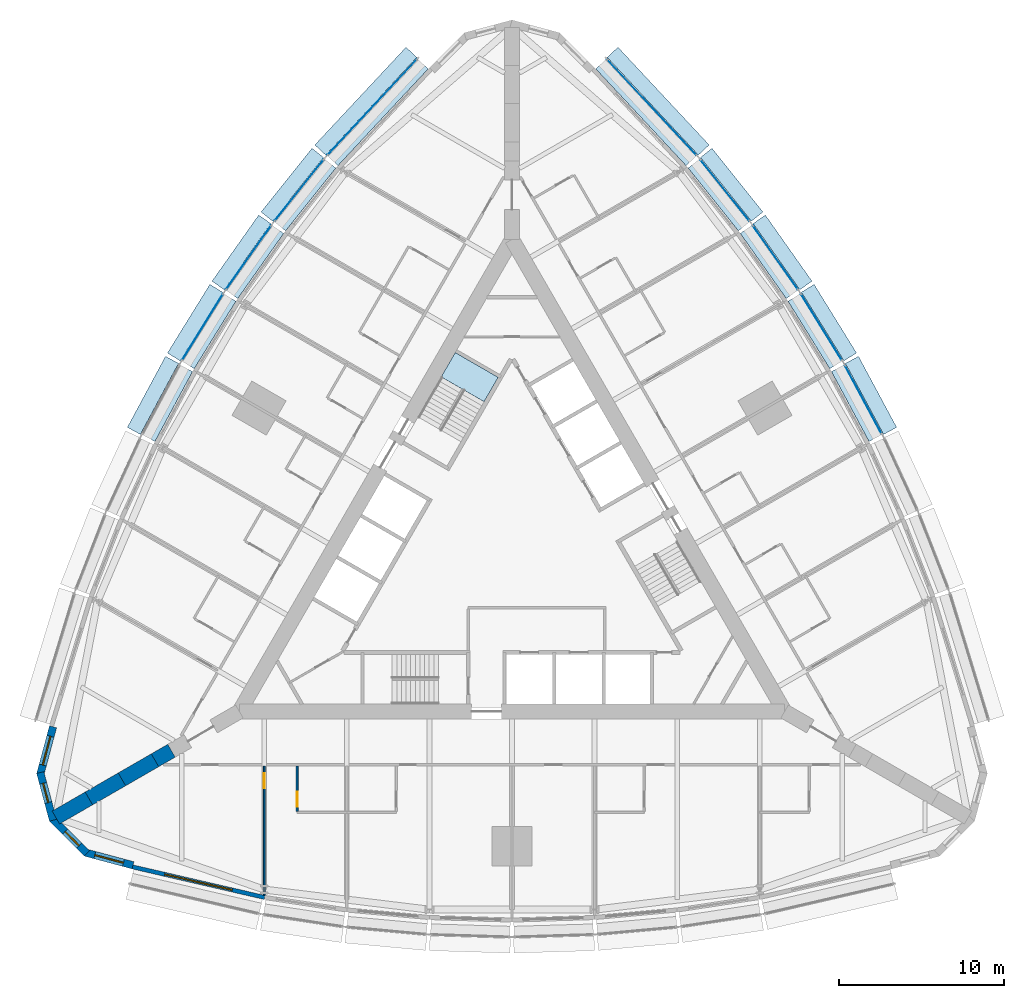
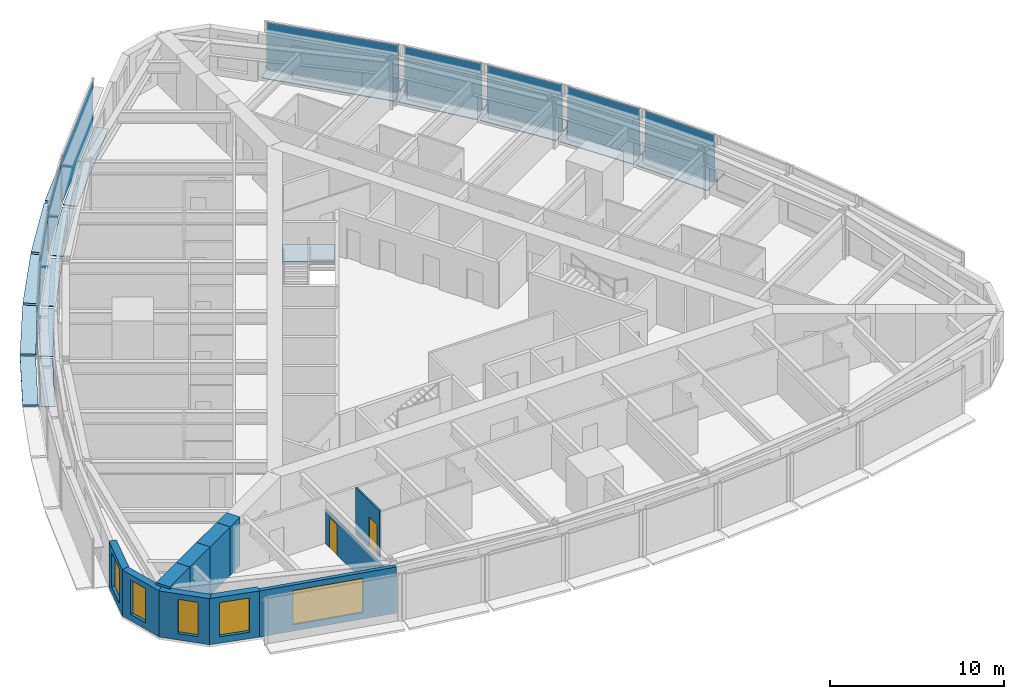
# One storey, part 7 of 14: 29 plates, 11 walls, 5 windows, 2 doors, 1 slab, 7 openings, 10 elements without a shape of their own.
"""IFC4 building model written with IfcOpenShell, lengths in metres."""

from ifc_helpers import new_model, si_unit, direction, frame, frame_2d, origin, origin_2d, place, context, subcontext, project, spatial, polyline, rectangle, outline, extrude, material, layer, layer_set, type_object, element, fill, aggregate, save


model = new_model("IFC4")

# Units and contexts
model_context = context("Model", 3, precision=1e-05, world=origin(), true_north=direction((0.0, 1.0)))
body_context = subcontext(model_context, "Body", "Model", "MODEL_VIEW")
ifc_project = project(units=[si_unit("LENGTHUNIT", "METRE"), si_unit("AREAUNIT", "SQUARE_METRE"), si_unit("VOLUMEUNIT", "CUBIC_METRE"), si_unit("PLANEANGLEUNIT", "RADIAN"), si_unit("MASSUNIT", "GRAM", prefix="KILO")], contexts=[model_context])

# Site, building, storey
site_placement = place(None, origin())
site = spatial("IfcSite", under=ifc_project, at=site_placement, CompositionType="ELEMENT")
building_placement = place(site_placement, origin())
building = spatial("IfcBuilding", under=site, at=building_placement, Name="Trikona Tower", CompositionType="ELEMENT")
storey_placement = place(building_placement, frame((0.0, 0.0, 48.89990234375)))
storey = spatial("IfcBuildingStorey", under=building, at=storey_placement, Name="L11", CompositionType="ELEMENT", Elevation=48.89990234375)

# Plates
ifc_material_1 = material(Name="Aluminium bar grating", Category="aluminium")
ifc_layer_1 = layer(ifc_material_1, 0.050048828125)
ifc_layer_set_1 = layer_set([ifc_layer_1], Name="Cavity catwalk grating")
plate_type_1 = type_object("IfcPlateType", Name="Cavity catwalk grating", PredefinedType="USERDEFINED", material=ifc_layer_set_1)
for number, where, z_axis, x_axis, name in (
    (1, (20.833740234375, 9.127197265625, -0.0498046875), (0.0, 0.0, 1.0), (-0.473422672721, 0.880835383572, 0.0), "Cavity catwalk L11-15"),
    (2, (18.3212890625, 13.47900390625, -0.0498046875), (0.0, 0.0, 1.0), (-0.526118935114, 0.85041099835, 0.0), "Cavity catwalk L11-16"),
):
    element("IfcPlate", number, at=place(storey_placement, frame(where, z_axis=z_axis, x_axis=x_axis)), inside=storey, type_object=plate_type_1, Name=name, ObjectType="CATWALK GRATING", PredefinedType="USERDEFINED", context=body_context, shape_type="SweptSolid", body=[
        extrude(rectangle(XDim=4.80224609375, YDim=0.820068359375, at=origin_2d()), origin(), (0.0, 0.0, 1.0), 0.050048828125),
    ])
plate_1_placement = place(storey_placement, frame((15.544189453125, 17.677734375, -0.0498046875), z_axis=(0.0, 0.0, 1.0), x_axis=(-0.576661909499, 0.816982889743, 0.0)))
element("IfcPlate", 3, at=plate_1_placement, inside=storey, type_object=plate_type_1, Name="Cavity catwalk L11-17", ObjectType="CATWALK GRATING", PredefinedType="USERDEFINED", context=body_context, shape_type="SweptSolid", body=[
    extrude(rectangle(XDim=4.82080078125, YDim=0.820068359375, at=origin_2d()), origin(), (0.0, 0.0, 1.0), 0.050048828125),
])
plate_2_placement = place(storey_placement, frame((12.502197265625, 21.72314453125, -0.0498046875), z_axis=(0.0, 0.0, 1.0), x_axis=(-0.624603618277, 0.780941944087, 0.0)))
element("IfcPlate", 4, at=plate_2_placement, inside=storey, type_object=plate_type_1, Name="Cavity catwalk L11-18", ObjectType="CATWALK GRATING", PredefinedType="USERDEFINED", context=body_context, shape_type="SweptSolid", body=[
    extrude(rectangle(XDim=4.857666015625, YDim=0.820068359375, at=origin_2d()), origin(), (0.0, 0.0, 1.0), 0.050048828125),
])
for number, where, z_axis, x_axis, name in (
    (5, (8.10107421875, 26.72314453125, -0.0498046875), (0.0, 0.0, 1.0), (-0.682298269147, 0.731073916864, 0.0), "Cavity catwalk L11-19"),
    (6, (-8.10107421875, 26.72314453125, -0.0498046875), (0.0, 0.0, 1.0), (-0.682298269147, -0.731073916864, 0.0), "Cavity catwalk L11-24"),
):
    element("IfcPlate", number, at=place(storey_placement, frame(where, z_axis=z_axis, x_axis=x_axis)), inside=storey, type_object=plate_type_1, Name=name, ObjectType="CATWALK GRATING", PredefinedType="USERDEFINED", context=body_context, shape_type="SweptSolid", body=[
        extrude(rectangle(XDim=8.01123046875, YDim=0.820068359375, at=origin_2d()), origin(), (0.0, 0.0, 1.0), 0.050048828125),
    ])
plate_3_placement = place(storey_placement, frame((-12.502197265625, 21.72314453125, -0.0498046875), z_axis=(0.0, 0.0, 1.0), x_axis=(-0.624603618277, -0.780941944087, 0.0)))
element("IfcPlate", 7, at=plate_3_placement, inside=storey, type_object=plate_type_1, Name="Cavity catwalk L11-25", ObjectType="CATWALK GRATING", PredefinedType="USERDEFINED", context=body_context, shape_type="SweptSolid", body=[
    extrude(rectangle(XDim=4.857666015625, YDim=0.820068359375, at=origin_2d()), origin(), (0.0, 0.0, 1.0), 0.050048828125),
])
plate_4_placement = place(storey_placement, frame((-15.544189453125, 17.677734375, -0.0498046875), z_axis=(0.0, 0.0, 1.0), x_axis=(-0.576661909499, -0.816982889743, 0.0)))
element("IfcPlate", 8, at=plate_4_placement, inside=storey, type_object=plate_type_1, Name="Cavity catwalk L11-26", ObjectType="CATWALK GRATING", PredefinedType="USERDEFINED", context=body_context, shape_type="SweptSolid", body=[
    extrude(rectangle(XDim=4.82080078125, YDim=0.820068359375, at=origin_2d()), origin(), (0.0, 0.0, 1.0), 0.050048828125),
])
for number, where, z_axis, x_axis, name in (
    (9, (-18.3212890625, 13.47900390625, -0.0498046875), (0.0, 0.0, 1.0), (-0.526118935114, -0.85041099835, 0.0), "Cavity catwalk L11-27"),
    (10, (-20.833740234375, 9.127197265625, -0.0498046875), (0.0, 0.0, 1.0), (-0.473422672721, -0.880835383572, 0.0), "Cavity catwalk L11-28"),
):
    element("IfcPlate", number, at=place(storey_placement, frame(where, z_axis=z_axis, x_axis=x_axis)), inside=storey, type_object=plate_type_1, Name=name, ObjectType="CATWALK GRATING", PredefinedType="USERDEFINED", context=body_context, shape_type="SweptSolid", body=[
        extrude(rectangle(XDim=4.80224609375, YDim=0.820068359375, at=origin_2d()), origin(), (0.0, 0.0, 1.0), 0.050048828125),
    ])

# Curtain wall, plate
ifc_material_2 = material(Name="Aluminium curtain wall system", Category="aluminium")
curtain_wall_type = type_object("IfcCurtainWallType", Name="Curtain wall DS1", PredefinedType="NOTDEFINED", material=ifc_material_2)
curtain_wall_1_placement = place(storey_placement, origin())
curtain_wall_1 = element("IfcCurtainWall", 11, at=curtain_wall_1_placement, inside=storey, type_object=curtain_wall_type, Name="Curtain wall DS1 L11", PredefinedType="NOTDEFINED")
ifc_material_3 = material(Name="Laminated clear glass", Category="glass")
ifc_layer_2 = layer(ifc_material_3, 0.028076171875)
ifc_layer_set_2 = layer_set([ifc_layer_2], Name="Glass panel DS1")
plate_type_2 = type_object("IfcPlateType", Name="Glass panel DS1", PredefinedType="CURTAIN_PANEL", material=ifc_layer_set_2)
plate_5_placement = place(storey_placement, frame((21.265380859375, 9.359130859375, 0.0), z_axis=(0.0, 0.0, 1.0), x_axis=(-0.473408350896, 0.880843080975, 0.0)))
plate_5 = element("IfcPlate", 12, at=plate_5_placement, type_object=plate_type_2, Name="CW-DS1 panel 1.1", PredefinedType="CURTAIN_PANEL", context=body_context, shape_type="SweptSolid", body=[
    extrude(rectangle(XDim=4.72216796875, YDim=0.028076171875, at=origin_2d()), origin(), (0.0, 0.0, 1.0), 3.320068359375),
])
aggregate(curtain_wall_1, [plate_5])

curtain_wall_2_placement = place(storey_placement, origin())
curtain_wall_2 = element("IfcCurtainWall", 13, at=curtain_wall_2_placement, inside=storey, type_object=curtain_wall_type, Name="Curtain wall DS1 L11", PredefinedType="NOTDEFINED")
plate_6_placement = place(storey_placement, frame((18.738037109375, 13.73681640625, 0.0), z_axis=(0.0, 0.0, 1.0), x_axis=(-0.526119790842, 0.850410468941, 0.0)))
plate_6 = element("IfcPlate", 14, at=plate_6_placement, type_object=plate_type_2, Name="CW-DS1 panel 1.1", PredefinedType="CURTAIN_PANEL", context=body_context, shape_type="SweptSolid", body=[
    extrude(rectangle(XDim=4.722412109375, YDim=0.028076171875, at=origin_2d()), origin(), (0.0, 0.0, 1.0), 3.320068359375),
])
aggregate(curtain_wall_2, [plate_6])

curtain_wall_3_placement = place(storey_placement, origin())
curtain_wall_3 = element("IfcCurtainWall", 15, at=curtain_wall_3_placement, inside=storey, type_object=curtain_wall_type, Name="Curtain wall DS1 L11", PredefinedType="NOTDEFINED")
plate_7_placement = place(storey_placement, frame((15.9443359375, 17.960205078125, 0.0), z_axis=(0.0, 0.0, 1.0), x_axis=(-0.576658362928, 0.816985393055, 0.0)))
plate_7 = element("IfcPlate", 16, at=plate_7_placement, type_object=plate_type_2, Name="CW-DS1 panel 1.1", PredefinedType="CURTAIN_PANEL", context=body_context, shape_type="SweptSolid", body=[
    extrude(rectangle(XDim=4.74072265625, YDim=0.028076171875, at=origin_2d()), origin(), (0.0, 0.0, 1.0), 3.320068359375),
])
aggregate(curtain_wall_3, [plate_7])

curtain_wall_4_placement = place(storey_placement, origin())
curtain_wall_4 = element("IfcCurtainWall", 17, at=curtain_wall_4_placement, inside=storey, type_object=curtain_wall_type, Name="Curtain wall DS1 L11", PredefinedType="NOTDEFINED")
plate_8_placement = place(storey_placement, frame((12.884765625, 22.029296875, 0.0), z_axis=(0.0, 0.0, 1.0), x_axis=(-0.624608599951, 0.780937959679, 0.0)))
plate_8 = element("IfcPlate", 18, at=plate_8_placement, type_object=plate_type_2, Name="CW-DS1 panel 1.1", PredefinedType="CURTAIN_PANEL", context=body_context, shape_type="SweptSolid", body=[
    extrude(rectangle(XDim=4.777587890625, YDim=0.028076171875, at=origin_2d()), origin(), (0.0, 0.0, 1.0), 3.320068359375),
])
aggregate(curtain_wall_4, [plate_8])

curtain_wall_5_placement = place(storey_placement, origin())
curtain_wall_5 = element("IfcCurtainWall", 19, at=curtain_wall_5_placement, inside=storey, type_object=curtain_wall_type, Name="Curtain wall DS1 L11", PredefinedType="NOTDEFINED")
plate_9_placement = place(storey_placement, frame((8.459228515625, 27.057373046875, 0.0), z_axis=(0.0, 0.0, 1.0), x_axis=(-0.682295351967, 0.731076639405, 0.0)))
plate_9 = element("IfcPlate", 20, at=plate_9_placement, type_object=plate_type_2, Name="CW-DS1 panel 1.1", PredefinedType="CURTAIN_PANEL", context=body_context, shape_type="SweptSolid", body=[
    extrude(rectangle(XDim=7.93115234375, YDim=0.028076171875, at=origin_2d()), origin(), (0.0, 0.0, 1.0), 3.320068359375),
])
aggregate(curtain_wall_5, [plate_9])

curtain_wall_6_placement = place(storey_placement, origin())
curtain_wall_6 = element("IfcCurtainWall", 21, at=curtain_wall_6_placement, inside=storey, type_object=curtain_wall_type, Name="Curtain wall DS1 L11", PredefinedType="NOTDEFINED")
plate_10_placement = place(storey_placement, frame((-8.459228515625, 27.057373046875, 0.0), z_axis=(0.0, 0.0, 1.0), x_axis=(-0.682295351967, -0.731076639405, 0.0)))
plate_10 = element("IfcPlate", 22, at=plate_10_placement, type_object=plate_type_2, Name="CW-DS1 panel 1.1", PredefinedType="CURTAIN_PANEL", context=body_context, shape_type="SweptSolid", body=[
    extrude(rectangle(XDim=7.93115234375, YDim=0.028076171875, at=origin_2d()), origin(), (0.0, 0.0, 1.0), 3.320068359375),
])
aggregate(curtain_wall_6, [plate_10])

curtain_wall_7_placement = place(storey_placement, origin())
curtain_wall_7 = element("IfcCurtainWall", 23, at=curtain_wall_7_placement, inside=storey, type_object=curtain_wall_type, Name="Curtain wall DS1 L11", PredefinedType="NOTDEFINED")
plate_11_placement = place(storey_placement, frame((-12.884765625, 22.029296875, 0.0), z_axis=(0.0, 0.0, 1.0), x_axis=(-0.624608599951, -0.780937959679, 0.0)))
plate_11 = element("IfcPlate", 24, at=plate_11_placement, type_object=plate_type_2, Name="CW-DS1 panel 1.1", PredefinedType="CURTAIN_PANEL", context=body_context, shape_type="SweptSolid", body=[
    extrude(rectangle(XDim=4.777587890625, YDim=0.028076171875, at=origin_2d()), origin(), (0.0, 0.0, 1.0), 3.320068359375),
])
aggregate(curtain_wall_7, [plate_11])

curtain_wall_8_placement = place(storey_placement, origin())
curtain_wall_8 = element("IfcCurtainWall", 25, at=curtain_wall_8_placement, inside=storey, type_object=curtain_wall_type, Name="Curtain wall DS1 L11", PredefinedType="NOTDEFINED")
plate_12_placement = place(storey_placement, frame((-15.9443359375, 17.960205078125, 0.0), z_axis=(0.0, 0.0, 1.0), x_axis=(-0.576658362928, -0.816985393055, 0.0)))
plate_12 = element("IfcPlate", 26, at=plate_12_placement, type_object=plate_type_2, Name="CW-DS1 panel 1.1", PredefinedType="CURTAIN_PANEL", context=body_context, shape_type="SweptSolid", body=[
    extrude(rectangle(XDim=4.74072265625, YDim=0.028076171875, at=origin_2d()), origin(), (0.0, 0.0, 1.0), 3.320068359375),
])
aggregate(curtain_wall_8, [plate_12])

curtain_wall_9_placement = place(storey_placement, origin())
curtain_wall_9 = element("IfcCurtainWall", 27, at=curtain_wall_9_placement, inside=storey, type_object=curtain_wall_type, Name="Curtain wall DS1 L11", PredefinedType="NOTDEFINED")
plate_13_placement = place(storey_placement, frame((-18.738037109375, 13.73681640625, 0.0), z_axis=(0.0, 0.0, 1.0), x_axis=(-0.526119790842, -0.850410468941, 0.0)))
plate_13 = element("IfcPlate", 28, at=plate_13_placement, type_object=plate_type_2, Name="CW-DS1 panel 1.1", PredefinedType="CURTAIN_PANEL", context=body_context, shape_type="SweptSolid", body=[
    extrude(rectangle(XDim=4.722412109375, YDim=0.028076171875, at=origin_2d()), origin(), (0.0, 0.0, 1.0), 3.320068359375),
])
aggregate(curtain_wall_9, [plate_13])

# Plates
ifc_material_4 = material(Name="Aluminium plate fin, pale anodised, on stainless steel outriggers", Category="steel")
ifc_layer_3 = layer(ifc_material_4, 0.14990234375)
ifc_layer_set_3 = layer_set([ifc_layer_3], Name="Outer skin fin 900")
plate_type_3 = type_object("IfcPlateType", Name="Outer skin fin 900", PredefinedType="USERDEFINED", material=ifc_layer_set_3)
for number, where, z_axis, x_axis, name in (
    (29, (21.732421875, 9.610107421875, 0.000244140625), (0.0, 0.0, 1.0), (-0.473422672721, 0.880835383572, 0.0), "Outer skin fin L11-15"),
    (30, (19.188720703125, 14.015625, 0.000244140625), (0.0, 0.0, 1.0), (-0.526118935114, 0.85041099835, 0.0), "Outer skin fin L11-16"),
):
    element("IfcPlate", number, at=place(storey_placement, frame(where, z_axis=z_axis, x_axis=x_axis)), inside=storey, type_object=plate_type_3, Name=name, ObjectType="FIN", PredefinedType="USERDEFINED", context=body_context, shape_type="SweptSolid", body=[
        extrude(rectangle(XDim=4.88232421875, YDim=0.89990234375, at=origin_2d()), origin(), (0.0, 0.0, 1.0), 0.14990234375),
    ])
plate_14_placement = place(storey_placement, frame((16.37744140625, 18.265869140625, 0.000244140625), z_axis=(0.0, 0.0, 1.0), x_axis=(-0.576661909499, 0.816982889743, 0.0)))
element("IfcPlate", 31, at=plate_14_placement, inside=storey, type_object=plate_type_3, Name="Outer skin fin L11-17", ObjectType="FIN", PredefinedType="USERDEFINED", context=body_context, shape_type="SweptSolid", body=[
    extrude(rectangle(XDim=4.90087890625, YDim=0.89990234375, at=origin_2d()), origin(), (0.0, 0.0, 1.0), 0.14990234375),
])
plate_15_placement = place(storey_placement, frame((13.298583984375, 22.360107421875, 0.000244140625), z_axis=(0.0, 0.0, 1.0), x_axis=(-0.624603618277, 0.780941944087, 0.0)))
element("IfcPlate", 32, at=plate_15_placement, inside=storey, type_object=plate_type_3, Name="Outer skin fin L11-18", ObjectType="FIN", PredefinedType="USERDEFINED", context=body_context, shape_type="SweptSolid", body=[
    extrude(rectangle(XDim=4.9375, YDim=0.89990234375, at=origin_2d()), origin(), (0.0, 0.0, 1.0), 0.14990234375),
])
for number, where, z_axis, x_axis, name in (
    (33, (8.8466796875, 27.419189453125, 0.000244140625), (0.0, 0.0, 1.0), (-0.682298269147, 0.731073916864, 0.0), "Outer skin fin L11-19"),
    (34, (-8.8466796875, 27.419189453125, 0.000244140625), (0.0, 0.0, 1.0), (-0.682298269147, -0.731073916864, 0.0), "Outer skin fin L11-24"),
):
    element("IfcPlate", number, at=place(storey_placement, frame(where, z_axis=z_axis, x_axis=x_axis)), inside=storey, type_object=plate_type_3, Name=name, ObjectType="FIN", PredefinedType="USERDEFINED", context=body_context, shape_type="SweptSolid", body=[
        extrude(rectangle(XDim=8.09130859375, YDim=0.89990234375, at=origin_2d()), origin(), (0.0, 0.0, 1.0), 0.14990234375),
    ])
plate_16_placement = place(storey_placement, frame((-13.298583984375, 22.360107421875, 0.000244140625), z_axis=(0.0, 0.0, 1.0), x_axis=(-0.624603618277, -0.780941944087, 0.0)))
element("IfcPlate", 35, at=plate_16_placement, inside=storey, type_object=plate_type_3, Name="Outer skin fin L11-25", ObjectType="FIN", PredefinedType="USERDEFINED", context=body_context, shape_type="SweptSolid", body=[
    extrude(rectangle(XDim=4.9375, YDim=0.89990234375, at=origin_2d()), origin(), (0.0, 0.0, 1.0), 0.14990234375),
])
plate_17_placement = place(storey_placement, frame((-16.37744140625, 18.265869140625, 0.000244140625), z_axis=(0.0, 0.0, 1.0), x_axis=(-0.576661909499, -0.816982889743, 0.0)))
element("IfcPlate", 36, at=plate_17_placement, inside=storey, type_object=plate_type_3, Name="Outer skin fin L11-26", ObjectType="FIN", PredefinedType="USERDEFINED", context=body_context, shape_type="SweptSolid", body=[
    extrude(rectangle(XDim=4.90087890625, YDim=0.89990234375, at=origin_2d()), origin(), (0.0, 0.0, 1.0), 0.14990234375),
])
for number, where, z_axis, x_axis, name in (
    (37, (-19.188720703125, 14.015625, 0.000244140625), (0.0, 0.0, 1.0), (-0.526118935114, -0.85041099835, 0.0), "Outer skin fin L11-27"),
    (38, (-21.732421875, 9.610107421875, 0.000244140625), (0.0, 0.0, 1.0), (-0.473422672721, -0.880835383572, 0.0), "Outer skin fin L11-28"),
):
    element("IfcPlate", number, at=place(storey_placement, frame(where, z_axis=z_axis, x_axis=x_axis)), inside=storey, type_object=plate_type_3, Name=name, ObjectType="FIN", PredefinedType="USERDEFINED", context=body_context, shape_type="SweptSolid", body=[
        extrude(rectangle(XDim=4.88232421875, YDim=0.89990234375, at=origin_2d()), origin(), (0.0, 0.0, 1.0), 0.14990234375),
    ])

# Stair, slab
ifc_material_5 = material(Name="Concrete f'c 5000 psi", Category="concrete")
stair_type = type_object("IfcStairType", Name="Core stair", PredefinedType="HALF_TURN_STAIR", material=ifc_material_5)
stair_placement = place(storey_placement, origin())
stair = element("IfcStair", 39, at=stair_placement, inside=storey, type_object=stair_type, Name="Stair C L11", PredefinedType="HALF_TURN_STAIR")
ifc_material_6 = material(Name="Concrete f'c 5000 psi", Category="concrete")
ifc_layer_4 = layer(ifc_material_6, 0.199951171875)
ifc_layer_set_4 = layer_set([ifc_layer_4], Name="Stair landing 200")
slab_type = type_object("IfcSlabType", Name="Stair landing 200", PredefinedType="LANDING", material=ifc_layer_set_4)
slab_placement = place(storey_placement, frame((0.0, 0.0, 1.5)))
slab = element("IfcSlab", 40, at=slab_placement, type_object=slab_type, Name="ST-C landing 2", PredefinedType="LANDING", context=body_context, shape_type="SweptSolid", body=[
    extrude(outline(polyline([(-0.837158203125, 10.702392578125), (-1.688720703125, 9.2275390625), (-4.286865234375, 10.7275390625), (-3.435302734375, 12.202392578125), (-0.837158203125, 10.702392578125)])), origin(), (0.0, 0.0, 1.0), 0.2001953125),
])
aggregate(stair, [slab])

# Wall, opening, door
ifc_material_7 = material(Name="Metal stud and cement board", Category="gypsum")
ifc_layer_5 = layer(ifc_material_7, 0.1201171875)
ifc_layer_set_5 = layer_set([ifc_layer_5], Name="Bathroom wall 120")
wall_type_1 = type_object("IfcWallType", Name="Bathroom wall 120", PredefinedType="PLUMBINGWALL", material=ifc_layer_set_5)
wall_1_placement = place(storey_placement, frame((-13.0, -12.826416015625, 0.0), z_axis=(0.0, 0.0, 1.0), x_axis=(0.0, -1.0, 0.0)))
wall_1 = element("IfcWall", 41, at=wall_1_placement, inside=storey, type_object=wall_type_1, Name="Bathroom wall 1101.1", PredefinedType="PLUMBINGWALL", context=body_context, shape_type="SweptSolid", body=[
    extrude(rectangle(XDim=2.739990234375, YDim=0.1201171875, at=frame_2d((1.3701171875, 0.0))), origin(), (0.0, 0.0, 1.0), 3.235107421875),
])
opening_1_placement = place(wall_1_placement, frame((1.550048828125, 0.0, 0.0)))
opening_1 = element("IfcOpeningElement", 42, at=opening_1_placement, cuts=wall_1, Name="Opening D2", PredefinedType="OPENING", context=body_context, shape_type="SweptSolid", body=[
    extrude(rectangle(XDim=0.89990234375, YDim=2.1298828125, at=frame_2d((0.449951171875, 1.06494140625))), frame((0.0, 0.070068359375, 0.0), z_axis=(0.0, -1.0, 0.0), x_axis=(1.0, 0.0, 0.0)), (0.0, 0.0, 1.0), 0.14013671875),
])
ifc_material_8 = material(Name="Steel door frame with solid-core timber leaf", Category="steel")
door_type_1 = type_object("IfcDoorType", Name="Bathroom door 900x2130", OperationType="SLIDING_TO_LEFT", PredefinedType="DOOR", material=ifc_material_8)
door_1_placement = place(opening_1_placement, origin())
door_1 = element("IfcDoor", 43, at=door_1_placement, inside=storey, type_object=door_type_1, Name="Bathroom door 1101.1", OperationType="SLIDING_TO_LEFT", OverallHeight=2.1298828125, OverallWidth=0.89990234375, PredefinedType="DOOR", context=body_context, shape_type="SweptSolid", body=[
    extrude(rectangle(XDim=0.89990234375, YDim=2.1298828125, at=frame_2d((0.449951171875, 1.06494140625))), frame((0.0, 0.02490234375, 0.0), z_axis=(0.0, -1.0, 0.0), x_axis=(1.0, 0.0, 0.0)), (0.0, 0.0, 1.0), 0.050048828125),
])
fill(opening_1, door_1)

# Wall, opening, window
ifc_material_9 = material(Name="Brick-faced precast concrete", Category="masonry")
ifc_layer_6 = layer(ifc_material_9, 0.449951171875)
ifc_layer_set_6 = layer_set([ifc_layer_6], Name="Brick-faced corner wall 450")
wall_type_2 = type_object("IfcWallType", Name="Brick-faced corner wall 450", PredefinedType="SOLIDWALL", material=ifc_layer_set_6)
wall_2_placement = place(storey_placement, frame((-27.78271484375, -10.450439453125, 0.0), z_axis=(0.0, 0.0, 1.0), x_axis=(-0.258780998834, -0.965936019953, 0.0)))
wall_2 = element("IfcWall", 44, at=wall_2_placement, inside=storey, type_object=wall_type_2, Name="External wall L11-32", PredefinedType="SOLIDWALL", context=body_context, shape_type="SweptSolid", body=[
    extrude(rectangle(XDim=2.98876953125, YDim=0.449951171875, at=frame_2d((1.494384765625, 0.0))), origin(), (0.0, 0.0, 1.0), 3.235107421875),
])
opening_2_placement = place(wall_2_placement, frame((0.59423828125, 0.0, 0.449951171875)))
opening_2 = element("IfcOpeningElement", 45, at=opening_2_placement, cuts=wall_2, Name="Opening W1824", PredefinedType="OPENING", context=body_context, shape_type="SweptSolid", body=[
    extrude(rectangle(XDim=1.800048828125, YDim=2.39990234375, at=frame_2d((0.89990234375, 1.199951171875))), frame((0.0, 0.23486328125, 0.0), z_axis=(0.0, -1.0, 0.0), x_axis=(1.0, 0.0, 0.0)), (0.0, 0.0, 1.0), 0.469970703125),
])
ifc_material_10 = material(Name="Aluminium-framed double glazing", Category="aluminium")
window_type_1 = type_object("IfcWindowType", Name="Window 1800x2400", PartitioningType="SINGLE_PANEL", PredefinedType="WINDOW", material=ifc_material_10)
window_1_placement = place(opening_2_placement, origin())
window_1 = element("IfcWindow", 46, at=window_1_placement, inside=storey, type_object=window_type_1, Name="Window 1116", OverallHeight=2.39990234375, OverallWidth=1.800048828125, PartitioningType="SINGLE_PANEL", PredefinedType="WINDOW", context=body_context, shape_type="SweptSolid", body=[
    extrude(rectangle(XDim=1.800048828125, YDim=2.39990234375, at=frame_2d((0.89990234375, 1.199951171875))), frame((0.0, 0.030029296875, 0.0), z_axis=(0.0, -1.0, 0.0), x_axis=(1.0, 0.0, 0.0)), (0.0, 0.0, 1.0), 0.06005859375),
])
fill(opening_2, window_1)

wall_3_placement = place(storey_placement, frame((-28.55615234375, -13.220947265625, 0.0), z_axis=(0.0, 0.0, 1.0), x_axis=(0.258801419081, -0.965930548995, 0.0)))
wall_3 = element("IfcWall", 47, at=wall_3_placement, inside=storey, type_object=wall_type_2, Name="External wall L11-33", PredefinedType="SOLIDWALL", context=body_context, shape_type="SweptSolid", body=[
    extrude(outline(polyline([(2.988525390625, 0.22509765625), (2.928955078125, 0.22509765625), (2.437255859375, 0.09326171875), (2.402099609375, 0.22509765625), (0.0, 0.22509765625), (0.0, -0.22509765625), (2.988525390625, -0.22509765625), (2.988525390625, 0.22509765625)])), origin(), (0.0, 0.0, 1.0), 3.235107421875),
])
opening_3_placement = place(wall_3_placement, frame((0.676025390625, 0.0, 0.449951171875)))
opening_3 = element("IfcOpeningElement", 48, at=opening_3_placement, cuts=wall_3, Name="Opening W1224", PredefinedType="OPENING", context=body_context, shape_type="SweptSolid", body=[
    extrude(rectangle(XDim=1.199951171875, YDim=2.39990234375, at=frame_2d((0.60009765625, 1.199951171875))), frame((0.0, 0.23486328125, 0.0), z_axis=(0.0, -1.0, 0.0), x_axis=(1.0, 0.0, 0.0)), (0.0, 0.0, 1.0), 0.469970703125),
])
ifc_material_11 = material(Name="Aluminium-framed double glazing", Category="aluminium")
window_type_2 = type_object("IfcWindowType", Name="Window 1200x2400", PartitioningType="SINGLE_PANEL", PredefinedType="WINDOW", material=ifc_material_11)
window_2_placement = place(opening_3_placement, origin())
window_2 = element("IfcWindow", 49, at=window_2_placement, inside=storey, type_object=window_type_2, Name="Window 1116", OverallHeight=2.39990234375, OverallWidth=1.199951171875, PartitioningType="SINGLE_PANEL", PredefinedType="WINDOW", context=body_context, shape_type="SweptSolid", body=[
    extrude(rectangle(XDim=1.199951171875, YDim=2.39990234375, at=frame_2d((0.60009765625, 1.199951171875))), frame((0.0, 0.030029296875, 0.0), z_axis=(0.0, -1.0, 0.0), x_axis=(1.0, 0.0, 0.0)), (0.0, 0.0, 1.0), 0.06005859375),
])
fill(opening_3, window_2)

wall_4_placement = place(storey_placement, frame((-27.8408203125, -16.006591796875, 0.0), z_axis=(0.0, 0.0, 1.0), x_axis=(0.707025086683, -0.707188466253, 0.0)))
wall_4 = element("IfcWall", 50, at=wall_4_placement, inside=storey, type_object=wall_type_2, Name="External wall L11-34", PredefinedType="SOLIDWALL", context=body_context, shape_type="SweptSolid", body=[
    extrude(outline(polyline([(2.988525390625, 0.22509765625), (0.58642578125, 0.22509765625), (0.551025390625, 0.093017578125), (0.058837890625, 0.22509765625), (0.0, 0.22509765625), (0.0, -0.22509765625), (2.988525390625, -0.22509765625), (2.988525390625, 0.22509765625)])), origin(), (0.0, 0.0, 1.0), 3.235107421875),
])
opening_4_placement = place(wall_4_placement, frame((1.112548828125, 0.0, 0.449951171875)))
opening_4 = element("IfcOpeningElement", 51, at=opening_4_placement, cuts=wall_4, Name="Opening W1224", PredefinedType="OPENING", context=body_context, shape_type="SweptSolid", body=[
    extrude(rectangle(XDim=1.199951171875, YDim=2.39990234375, at=frame_2d((0.60009765625, 1.199951171875))), frame((0.0, 0.23486328125, 0.0), z_axis=(0.0, -1.0, 0.0), x_axis=(1.0, 0.0, 0.0)), (0.0, 0.0, 1.0), 0.469970703125),
])
window_3_placement = place(opening_4_placement, origin())
window_3 = element("IfcWindow", 52, at=window_3_placement, inside=storey, type_object=window_type_2, Name="Window 1101", OverallHeight=2.39990234375, OverallWidth=1.199951171875, PartitioningType="SINGLE_PANEL", PredefinedType="WINDOW", context=body_context, shape_type="SweptSolid", body=[
    extrude(rectangle(XDim=1.199951171875, YDim=2.39990234375, at=frame_2d((0.60009765625, 1.199951171875))), frame((0.0, 0.030029296875, 0.0), z_axis=(0.0, -1.0, 0.0), x_axis=(1.0, 0.0, 0.0)), (0.0, 0.0, 1.0), 0.06005859375),
])
fill(opening_4, window_3)

wall_5_placement = place(storey_placement, frame((-25.82861328125, -18.061767578125, 0.0), z_axis=(0.0, 0.0, 1.0), x_axis=(0.965930548995, -0.258801419081, 0.0)))
wall_5 = element("IfcWall", 53, at=wall_5_placement, inside=storey, type_object=wall_type_2, Name="External wall L11-35", PredefinedType="SOLIDWALL", context=body_context, shape_type="SweptSolid", body=[
    extrude(rectangle(XDim=2.988525390625, YDim=0.449951171875, at=frame_2d((1.494140625, 0.0))), origin(), (0.0, 0.0, 1.0), 3.235107421875),
])
opening_5_placement = place(wall_5_placement, frame((0.59423828125, 0.0, 0.449951171875)))
opening_5 = element("IfcOpeningElement", 54, at=opening_5_placement, cuts=wall_5, Name="Opening W1824", PredefinedType="OPENING", context=body_context, shape_type="SweptSolid", body=[
    extrude(rectangle(XDim=1.800048828125, YDim=2.39990234375, at=frame_2d((0.89990234375, 1.199951171875))), frame((0.0, 0.23486328125, 0.0), z_axis=(0.0, -1.0, 0.0), x_axis=(1.0, 0.0, 0.0)), (0.0, 0.0, 1.0), 0.469970703125),
])
window_4_placement = place(opening_5_placement, origin())
window_4 = element("IfcWindow", 55, at=window_4_placement, inside=storey, type_object=window_type_1, Name="Window 1101", OverallHeight=2.39990234375, OverallWidth=1.800048828125, PartitioningType="SINGLE_PANEL", PredefinedType="WINDOW", context=body_context, shape_type="SweptSolid", body=[
    extrude(rectangle(XDim=1.800048828125, YDim=2.39990234375, at=frame_2d((0.89990234375, 1.199951171875))), frame((0.0, 0.030029296875, 0.0), z_axis=(0.0, -1.0, 0.0), x_axis=(1.0, 0.0, 0.0)), (0.0, 0.0, 1.0), 0.06005859375),
])
fill(opening_5, window_4)

# Walls
ifc_material_12 = material(Name="Concrete f'c 10000 psi", Category="concrete")
ifc_layer_7 = layer(ifc_material_12, 0.89990234375)
ifc_layer_set_7 = layer_set([ifc_layer_7], Name="Buttress wall 900")
wall_type_3 = type_object("IfcWallType", Name="Buttress wall 900", PredefinedType="SHEAR", material=ifc_layer_set_7)
wall_6_placement = place(storey_placement, frame((-20.6103515625, -11.8994140625, 0.0), z_axis=(0.0, 0.0, 1.0), x_axis=(-0.866009537788, -0.500027479704, 0.0)))
element("IfcWall", 56, at=wall_6_placement, inside=storey, type_object=wall_type_3, Name="Buttress wall 3 part 2", PredefinedType="SHEAR", context=body_context, shape_type="SweptSolid", body=[
    extrude(rectangle(XDim=1.15478515625, YDim=0.89990234375, at=frame_2d((0.577392578125, 0.0))), origin(), (0.0, 0.0, 1.0), 3.400146484375),
])
for number, where, z_axis, x_axis, name in (
    (57, (-21.6103515625, -12.476806640625, 0.0), (0.0, 0.0, 1.0), (-0.866055313784, -0.499948190782, 0.0), "Buttress wall 3 part 3"),
    (58, (-23.6103515625, -13.63134765625, 0.0), (0.0, 0.0, 1.0), (-0.866009537788, -0.500027479704, 0.0), "Buttress wall 3 part 4"),
    (59, (-25.6103515625, -14.7861328125, 0.0), (0.0, 0.0, 1.0), (-0.866009537788, -0.500027479704, 0.0), "Buttress wall 3 part 5"),
):
    element("IfcWall", number, at=place(storey_placement, frame(where, z_axis=z_axis, x_axis=x_axis)), inside=storey, type_object=wall_type_3, Name=name, PredefinedType="SHEAR", context=body_context, shape_type="SweptSolid", body=[
        extrude(rectangle(XDim=2.309326171875, YDim=0.89990234375, at=frame_2d((1.15478515625, 0.0))), origin(), (0.0, 0.0, 1.0), 3.400146484375),
    ])

# Wall, opening, window
ifc_material_13 = material(Name="Insulated precast concrete spandrel panel", Category="concrete")
ifc_layer_8 = layer(ifc_material_13, 0.25)
ifc_layer_set_8 = layer_set([ifc_layer_8], Name="Inner skin wall 250")
wall_type_4 = type_object("IfcWallType", Name="Inner skin wall 250", PredefinedType="STANDARD", material=ifc_layer_set_8)
wall_7_placement = place(storey_placement, frame((-22.9716796875, -18.930908203125, 0.0), z_axis=(0.0, 0.0, 1.0), x_axis=(0.974279327392, -0.225343720163, 0.0)))
wall_7 = element("IfcWall", 60, at=wall_7_placement, inside=storey, type_object=wall_type_4, Name="External wall L11-00", PredefinedType="STANDARD", context=body_context, shape_type="SweptSolid", body=[
    extrude(rectangle(XDim=8.211181640625, YDim=0.25, at=frame_2d((4.10546875, 0.0))), origin(), (0.0, 0.0, 1.0), 3.235107421875),
])
opening_6_placement = place(wall_7_placement, frame((2.005615234375, 0.0, 0.449951171875)))
opening_6 = element("IfcOpeningElement", 61, at=opening_6_placement, cuts=wall_7, Name="Opening W4224", PredefinedType="OPENING", context=body_context, shape_type="SweptSolid", body=[
    extrude(rectangle(XDim=4.199951171875, YDim=2.39990234375, at=frame_2d((2.10009765625, 1.199951171875))), frame((0.0, 0.135009765625, 0.0), z_axis=(0.0, -1.0, 0.0), x_axis=(1.0, 0.0, 0.0)), (0.0, 0.0, 1.0), 0.27001953125),
])
ifc_material_14 = material(Name="Aluminium-framed double glazing", Category="aluminium")
window_type_3 = type_object("IfcWindowType", Name="Window 4200x2400", PartitioningType="SINGLE_PANEL", PredefinedType="WINDOW", material=ifc_material_14)
window_5_placement = place(opening_6_placement, origin())
window_5 = element("IfcWindow", 62, at=window_5_placement, inside=storey, type_object=window_type_3, Name="Window 1101", OverallHeight=2.39990234375, OverallWidth=4.199951171875, PartitioningType="SINGLE_PANEL", PredefinedType="WINDOW", context=body_context, shape_type="SweptSolid", body=[
    extrude(rectangle(XDim=4.199951171875, YDim=2.39990234375, at=frame_2d((2.10009765625, 1.199951171875))), frame((0.0, 0.030029296875, 0.0), z_axis=(0.0, -1.0, 0.0), x_axis=(1.0, 0.0, 0.0)), (0.0, 0.0, 1.0), 0.06005859375),
])
fill(opening_6, window_5)

# Wall, opening, door
ifc_material_15 = material(Name="Metal stud and gypsum board, acoustic", Category="gypsum")
ifc_layer_9 = layer(ifc_material_15, 0.10009765625)
ifc_layer_set_9 = layer_set([ifc_layer_9], Name="Suite partition 100")
wall_type_5 = type_object("IfcWallType", Name="Suite partition 100", PredefinedType="PARTITIONING", material=ifc_layer_set_9)
wall_8_placement = place(storey_placement, frame((-15.0, -12.826416015625, 0.0), z_axis=(0.0, 0.0, 1.0), x_axis=(0.0, -1.0, 0.0)))
wall_8 = element("IfcWall", 63, at=wall_8_placement, inside=storey, type_object=wall_type_5, Name="Suite partition L11 F1 u-15", PredefinedType="PARTITIONING", context=body_context, shape_type="SweptSolid", body=[
    extrude(rectangle(XDim=7.820068359375, YDim=0.10009765625, at=frame_2d((3.91015625, 0.0))), origin(), (0.0, 0.0, 1.0), 2.389404296875),
])
opening_7_placement = place(wall_8_placement, frame((0.449951171875, 0.0, 0.0)))
opening_7 = element("IfcOpeningElement", 64, at=opening_7_placement, cuts=wall_8, Name="Opening D13", PredefinedType="OPENING", context=body_context, shape_type="SweptSolid", body=[
    extrude(rectangle(XDim=0.89990234375, YDim=2.1298828125, at=frame_2d((0.449951171875, 1.06494140625))), frame((0.0, 0.06005859375, 0.0), z_axis=(0.0, -1.0, 0.0), x_axis=(1.0, 0.0, 0.0)), (0.0, 0.0, 1.0), 0.1201171875),
])
ifc_material_16 = material(Name="Steel door frame with solid-core timber leaf", Category="steel")
door_type_2 = type_object("IfcDoorType", Name="Suite door 900x2130", OperationType="SINGLE_SWING_LEFT", PredefinedType="DOOR", material=ifc_material_16)
door_2_placement = place(opening_7_placement, origin())
door_2 = element("IfcDoor", 65, at=door_2_placement, inside=storey, type_object=door_type_2, Name="Suite door 1101", OperationType="SINGLE_SWING_LEFT", OverallHeight=2.1298828125, OverallWidth=0.89990234375, PredefinedType="DOOR", context=body_context, shape_type="SweptSolid", body=[
    extrude(rectangle(XDim=0.89990234375, YDim=2.1298828125, at=frame_2d((0.449951171875, 1.06494140625))), frame((0.0, 0.02490234375, 0.0), z_axis=(0.0, -1.0, 0.0), x_axis=(1.0, 0.0, 0.0)), (0.0, 0.0, 1.0), 0.050048828125),
])
fill(opening_7, door_2)

save(model, "model.ifc")
